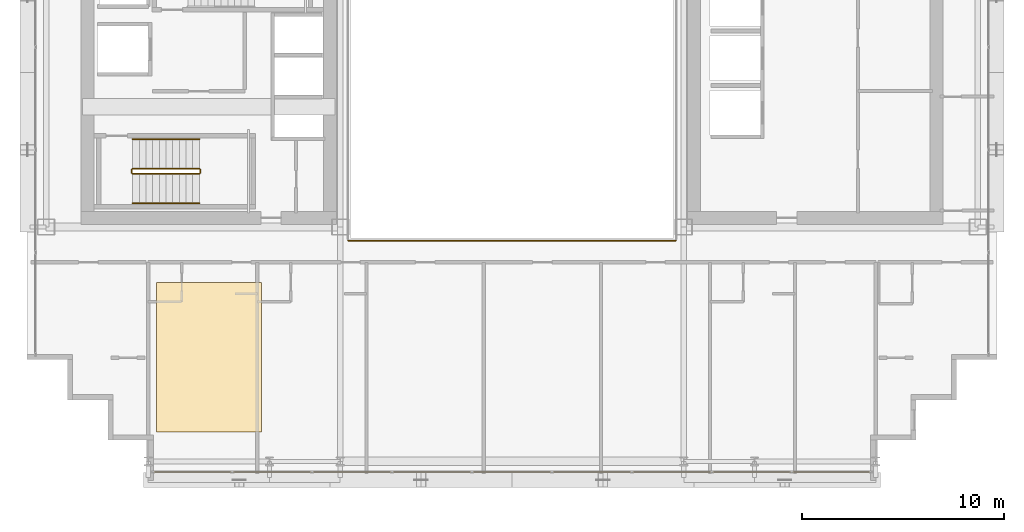
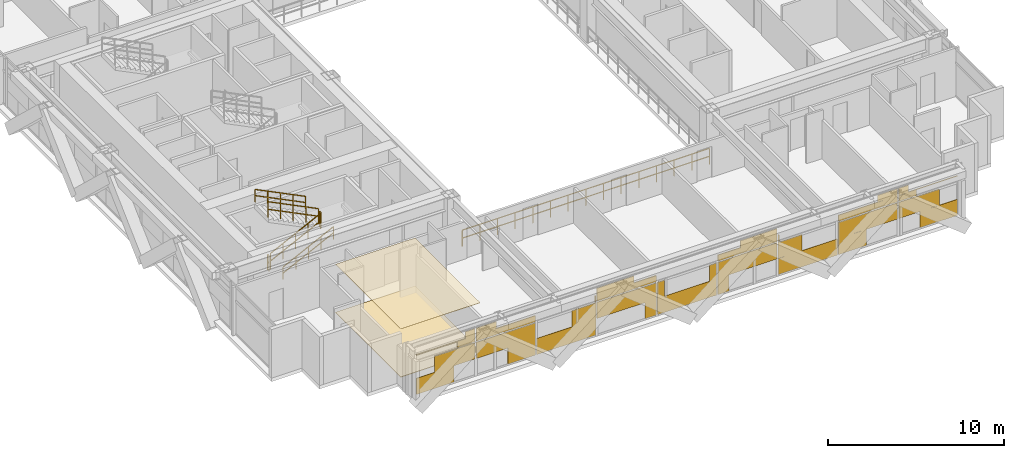
# One storey, part 32 of 35: 7 railings, 3 coverings.
"""IFC4 building model written with IfcOpenShell, lengths in metres."""

from ifc_helpers import new_model, si_unit, direction, frame, origin, origin_2d, place, context, subcontext, project, spatial, polyline, rectangle, outline, extrude, material, layer, layer_set, type_object, element, save


model = new_model("IFC4")

# Units and contexts
model_context = context("Model", 3, precision=1e-05, world=origin(), true_north=direction((0.0, 1.0)))
body_context = subcontext(model_context, "Body", "Model", "MODEL_VIEW")
ifc_project = project(units=[si_unit("LENGTHUNIT", "METRE"), si_unit("AREAUNIT", "SQUARE_METRE"), si_unit("VOLUMEUNIT", "CUBIC_METRE"), si_unit("PLANEANGLEUNIT", "RADIAN"), si_unit("MASSUNIT", "GRAM", prefix="KILO")], contexts=[model_context])

# Site, building, storey
site_placement = place(None, origin())
site = spatial("IfcSite", under=ifc_project, at=site_placement, CompositionType="ELEMENT")
building_placement = place(site_placement, origin())
building = spatial("IfcBuilding", under=site, at=building_placement, Name="Ocotamira Hotel", CompositionType="ELEMENT")
storey_placement = place(building_placement, frame((0.0, 0.0, 118.800048828125)))
storey = spatial("IfcBuildingStorey", under=building, at=storey_placement, Name="L29", CompositionType="ELEMENT", Elevation=118.800048828125)

# Coverings
ifc_material_1 = material(Name="Perforated acoustic gypsum ceiling board", Category="gypsum")
ifc_layer_1 = layer(ifc_material_1, 0.02490234375)
ifc_layer_set_1 = layer_set([ifc_layer_1], Name="Perforated acoustic gypsum ceiling board")
covering_type_1 = type_object("IfcCoveringType", Name="COV-CEIL-25", PredefinedType="CEILING", material=ifc_layer_set_1)
covering_1_placement = place(storey_placement, frame((0.0, 0.0, 3.3349609375)))
element("IfcCovering", 1, at=covering_1_placement, inside=storey, type_object=covering_type_1, Name="L29 Acoustic Ceiling", PredefinedType="CEILING", context=body_context, shape_type="SweptSolid", body=[
    extrude(outline(polyline([(14.39990234375, 4.39990234375), (19.60009765625, 4.39990234375), (19.60009765625, 11.800048828125), (14.39990234375, 11.800048828125), (14.39990234375, 4.39990234375)])), origin(), (0.0, 0.0, 1.0), 0.02490234375),
])
ifc_material_2 = material(Name="Honed desert travertine stone flooring", Category="masonry")
ifc_layer_2 = layer(ifc_material_2, 0.030029296875)
ifc_layer_set_2 = layer_set([ifc_layer_2], Name="Honed desert travertine stone flooring")
covering_type_2 = type_object("IfcCoveringType", Name="COV-FLOR-30", PredefinedType="FLOORING", material=ifc_layer_set_2)
covering_2_placement = place(storey_placement, origin())
element("IfcCovering", 2, at=covering_2_placement, inside=storey, type_object=covering_type_2, Name="L29 Honed Stone Floor Finish", PredefinedType="FLOORING", context=body_context, shape_type="SweptSolid", body=[
    extrude(outline(polyline([(14.39990234375, 4.39990234375), (19.60009765625, 4.39990234375), (19.60009765625, 11.800048828125), (14.39990234375, 11.800048828125), (14.39990234375, 4.39990234375)])), origin(), (0.0, 0.0, 1.0), 0.030029296875),
])
ifc_material_3 = material(Name="Insulated pale-metal aluminium spandrel panel", Category="aluminium")
ifc_layer_3 = layer(ifc_material_3, 0.044921875)
ifc_layer_set_3 = layer_set([ifc_layer_3], Name="Insulated pale-metal aluminium spandrel panel")
covering_type_3 = type_object("IfcCoveringType", Name="COV-INFILL-45", PredefinedType="CLADDING", material=ifc_layer_set_3)
covering_3_placement = place(storey_placement, origin())
element("IfcCovering", 3, at=covering_3_placement, inside=storey, type_object=covering_type_3, Name="L29 Curtain Wall Infill CW-3 CW-L29-S1", PredefinedType="CLADDING", context=body_context, shape_type="SweptSolid", body=[
    extrude(rectangle(XDim=2.464111328125, YDim=0.044921875, at=origin_2d()), frame((15.512451171875, 2.419921875, 0.0751953125), z_axis=(0.0, 0.0, 1.0), x_axis=(1.0, 0.0, 0.0)), (0.0, 0.0, 1.0), 1.117919921875),
    extrude(rectangle(XDim=2.650146484375, YDim=0.044921875, at=origin_2d()), frame((16.7900390625, 2.419921875, 1.194091796875), z_axis=(0.0, 0.0, 1.0), x_axis=(1.0, 0.0, 0.0)), (0.0, 0.0, 1.0), 1.11767578125),
    extrude(rectangle(XDim=3.834716796875, YDim=0.044921875, at=origin_2d()), frame((16.19775390625, 2.419921875, 2.782470703125), z_axis=(0.0, 0.0, 1.0), x_axis=(1.0, 0.0, 0.0)), (0.0, 0.0, 1.0), 0.0302734375),
    extrude(rectangle(XDim=1.157958984375, YDim=0.044921875, at=origin_2d()), frame((17.5361328125, 2.419921875, 2.387939453125), z_axis=(0.0, 0.0, 1.0), x_axis=(1.0, 0.0, 0.0)), (0.0, 0.0, 1.0), 0.3935546875),
    extrude(rectangle(XDim=0.625732421875, YDim=0.044921875, at=origin_2d()), frame((17.80224609375, 2.419921875, 2.813720703125), z_axis=(0.0, 0.0, 1.0), x_axis=(1.0, 0.0, 0.0)), (0.0, 0.0, 1.0), 0.470703125),
    extrude(rectangle(XDim=3.87451171875, YDim=0.044921875, at=origin_2d()), frame((20.13330078125, 2.419921875, 1.194091796875), z_axis=(0.0, 0.0, 1.0), x_axis=(1.0, 0.0, 0.0)), (0.0, 0.0, 1.0), 1.11767578125),
    extrude(rectangle(XDim=1.815185546875, YDim=0.044921875, at=origin_2d()), frame((21.1630859375, 2.419921875, 0.0751953125), z_axis=(0.0, 0.0, 1.0), x_axis=(1.0, 0.0, 0.0)), (0.0, 0.0, 1.0), 1.117919921875),
    extrude(rectangle(XDim=3.87451171875, YDim=0.044921875, at=origin_2d()), frame((20.13330078125, 2.419921875, 2.387939453125), z_axis=(0.0, 0.0, 1.0), x_axis=(1.0, 0.0, 0.0)), (0.0, 0.0, 1.0), 0.4248046875),
    extrude(rectangle(XDim=1.314697265625, YDim=0.044921875, at=origin_2d()), frame((18.853515625, 2.419921875, 2.813720703125), z_axis=(0.0, 0.0, 1.0), x_axis=(1.0, 0.0, 0.0)), (0.0, 0.0, 1.0), 0.470703125),
    extrude(rectangle(XDim=3.87451171875, YDim=0.044921875, at=origin_2d()), frame((24.0888671875, 2.419921875, 0.0751953125), z_axis=(0.0, 0.0, 1.0), x_axis=(1.0, 0.0, 0.0)), (0.0, 0.0, 1.0), 1.117919921875),
    extrude(rectangle(XDim=1.561279296875, YDim=0.044921875, at=origin_2d()), frame((25.24560546875, 2.419921875, 1.194091796875), z_axis=(0.0, 0.0, 1.0), x_axis=(1.0, 0.0, 0.0)), (0.0, 0.0, 1.0), 1.11767578125),
    extrude(rectangle(XDim=0.069091796875, YDim=0.044921875, at=origin_2d()), frame((25.99169921875, 2.419921875, 2.387939453125), z_axis=(0.0, 0.0, 1.0), x_axis=(1.0, 0.0, 0.0)), (0.0, 0.0, 1.0), 0.4248046875),
    extrude(rectangle(XDim=3.87451171875, YDim=0.044921875, at=origin_2d()), frame((28.04443359375, 2.419921875, 1.194091796875), z_axis=(0.0, 0.0, 1.0), x_axis=(1.0, 0.0, 0.0)), (0.0, 0.0, 1.0), 1.11767578125),
    extrude(rectangle(XDim=0.726318359375, YDim=0.044921875, at=origin_2d()), frame((29.61865234375, 2.419921875, 0.0751953125), z_axis=(0.0, 0.0, 1.0), x_axis=(1.0, 0.0, 0.0)), (0.0, 0.0, 1.0), 1.117919921875),
    extrude(rectangle(XDim=3.87451171875, YDim=0.044921875, at=origin_2d()), frame((28.04443359375, 2.419921875, 2.387939453125), z_axis=(0.0, 0.0, 1.0), x_axis=(1.0, 0.0, 0.0)), (0.0, 0.0, 1.0), 0.4248046875),
    extrude(rectangle(XDim=2.403564453125, YDim=0.044921875, at=origin_2d()), frame((27.308837890625, 2.419921875, 2.813720703125), z_axis=(0.0, 0.0, 1.0), x_axis=(1.0, 0.0, 0.0)), (0.0, 0.0, 1.0), 0.470703125),
    extrude(rectangle(XDim=3.87451171875, YDim=0.044921875, at=origin_2d()), frame((32.0, 2.419921875, 0.0751953125), z_axis=(0.0, 0.0, 1.0), x_axis=(1.0, 0.0, 0.0)), (0.0, 0.0, 1.0), 1.117919921875),
    extrude(rectangle(XDim=0.472412109375, YDim=0.044921875, at=origin_2d()), frame((30.298828125, 2.419921875, 1.194091796875), z_axis=(0.0, 0.0, 1.0), x_axis=(1.0, 0.0, 0.0)), (0.0, 0.0, 1.0), 1.11767578125),
    extrude(rectangle(XDim=0.472412109375, YDim=0.044921875, at=origin_2d()), frame((33.701171875, 2.419921875, 1.194091796875), z_axis=(0.0, 0.0, 1.0), x_axis=(1.0, 0.0, 0.0)), (0.0, 0.0, 1.0), 1.11767578125),
    extrude(rectangle(XDim=0.726318359375, YDim=0.044921875, at=origin_2d()), frame((34.38134765625, 2.419921875, 0.0751953125), z_axis=(0.0, 0.0, 1.0), x_axis=(1.0, 0.0, 0.0)), (0.0, 0.0, 1.0), 1.117919921875),
    extrude(rectangle(XDim=3.87451171875, YDim=0.044921875, at=origin_2d()), frame((35.95556640625, 2.419921875, 1.194091796875), z_axis=(0.0, 0.0, 1.0), x_axis=(1.0, 0.0, 0.0)), (0.0, 0.0, 1.0), 1.11767578125),
    extrude(rectangle(XDim=3.87451171875, YDim=0.044921875, at=origin_2d()), frame((35.95556640625, 2.419921875, 2.387939453125), z_axis=(0.0, 0.0, 1.0), x_axis=(1.0, 0.0, 0.0)), (0.0, 0.0, 1.0), 0.4248046875),
    extrude(rectangle(XDim=2.403564453125, YDim=0.044921875, at=origin_2d()), frame((36.691162109375, 2.419921875, 2.813720703125), z_axis=(0.0, 0.0, 1.0), x_axis=(1.0, 0.0, 0.0)), (0.0, 0.0, 1.0), 0.470703125),
    extrude(rectangle(XDim=3.87451171875, YDim=0.044921875, at=origin_2d()), frame((39.9111328125, 2.419921875, 0.0751953125), z_axis=(0.0, 0.0, 1.0), x_axis=(1.0, 0.0, 0.0)), (0.0, 0.0, 1.0), 1.117919921875),
    extrude(rectangle(XDim=1.561279296875, YDim=0.044921875, at=origin_2d()), frame((38.75439453125, 2.419921875, 1.194091796875), z_axis=(0.0, 0.0, 1.0), x_axis=(1.0, 0.0, 0.0)), (0.0, 0.0, 1.0), 1.11767578125),
    extrude(rectangle(XDim=0.069091796875, YDim=0.044921875, at=origin_2d()), frame((38.00830078125, 2.419921875, 2.387939453125), z_axis=(0.0, 0.0, 1.0), x_axis=(1.0, 0.0, 0.0)), (0.0, 0.0, 1.0), 0.4248046875),
    extrude(rectangle(XDim=1.815185546875, YDim=0.044921875, at=origin_2d()), frame((42.8369140625, 2.419921875, 0.0751953125), z_axis=(0.0, 0.0, 1.0), x_axis=(1.0, 0.0, 0.0)), (0.0, 0.0, 1.0), 1.117919921875),
    extrude(rectangle(XDim=3.87451171875, YDim=0.044921875, at=origin_2d()), frame((43.86669921875, 2.419921875, 1.194091796875), z_axis=(0.0, 0.0, 1.0), x_axis=(1.0, 0.0, 0.0)), (0.0, 0.0, 1.0), 1.11767578125),
    extrude(rectangle(XDim=3.87451171875, YDim=0.044921875, at=origin_2d()), frame((43.86669921875, 2.419921875, 2.387939453125), z_axis=(0.0, 0.0, 1.0), x_axis=(1.0, 0.0, 0.0)), (0.0, 0.0, 1.0), 0.4248046875),
    extrude(rectangle(XDim=1.314697265625, YDim=0.044921875, at=origin_2d()), frame((45.146484375, 2.419921875, 2.813720703125), z_axis=(0.0, 0.0, 1.0), x_axis=(1.0, 0.0, 0.0)), (0.0, 0.0, 1.0), 0.470703125),
    extrude(rectangle(XDim=2.650146484375, YDim=0.044921875, at=origin_2d()), frame((47.2099609375, 2.419921875, 1.194091796875), z_axis=(0.0, 0.0, 1.0), x_axis=(1.0, 0.0, 0.0)), (0.0, 0.0, 1.0), 1.11767578125),
    extrude(rectangle(XDim=2.464111328125, YDim=0.044921875, at=origin_2d()), frame((48.487548828125, 2.419921875, 0.0751953125), z_axis=(0.0, 0.0, 1.0), x_axis=(1.0, 0.0, 0.0)), (0.0, 0.0, 1.0), 1.117919921875),
    extrude(rectangle(XDim=1.157958984375, YDim=0.044921875, at=origin_2d()), frame((46.4638671875, 2.419921875, 2.387939453125), z_axis=(0.0, 0.0, 1.0), x_axis=(1.0, 0.0, 0.0)), (0.0, 0.0, 1.0), 0.3935546875),
    extrude(rectangle(XDim=3.834716796875, YDim=0.044921875, at=origin_2d()), frame((47.80224609375, 2.419921875, 2.782470703125), z_axis=(0.0, 0.0, 1.0), x_axis=(1.0, 0.0, 0.0)), (0.0, 0.0, 1.0), 0.0302734375),
    extrude(rectangle(XDim=0.625732421875, YDim=0.044921875, at=origin_2d()), frame((46.19775390625, 2.419921875, 2.813720703125), z_axis=(0.0, 0.0, 1.0), x_axis=(1.0, 0.0, 0.0)), (0.0, 0.0, 1.0), 0.470703125),
])

# Railings
ifc_material_4 = material(Name="Painted steel stair guardrail", Category="steel")
railing_type_1 = type_object("IfcRailingType", Name="RL-EDGE-1150", PredefinedType="GUARDRAIL", material=ifc_material_4)
railing_1_placement = place(storey_placement, frame((23.89990234375, 13.8798828125, 0.0)))
element("IfcRailing", 4, at=railing_1_placement, inside=storey, type_object=railing_type_1, Name="L29 Central Atrium Edge Guardrail S", PredefinedType="GUARDRAIL", context=body_context, shape_type="SweptSolid", body=[
    extrude(rectangle(XDim=0.048095703125, YDim=0.048095703125, at=origin_2d()), frame((0.0, 0.0, 1.1259765625), z_axis=(1.0, 0.0, 0.0), x_axis=(0.0, 1.0, 0.0)), (0.0, 0.0, 1.0), 16.2001953125),
    extrude(rectangle(XDim=0.048095703125, YDim=0.048095703125, at=origin_2d()), frame((0.0, 0.0, 0.574951171875), z_axis=(1.0, 0.0, 0.0), x_axis=(0.0, 1.0, 0.0)), (0.0, 0.0, 1.0), 16.2001953125),
    extrude(rectangle(XDim=0.0419921875, YDim=0.0419921875, at=origin_2d()), origin(), (0.0, 0.0, 1.0), 1.101806640625),
    extrude(rectangle(XDim=0.0419921875, YDim=0.0419921875, at=origin_2d()), frame((1.1572265625, 0.0, 0.0)), (0.0, 0.0, 1.0), 1.101806640625),
    extrude(rectangle(XDim=0.0419921875, YDim=0.0419921875, at=origin_2d()), frame((2.314208984375, 0.0, 0.0)), (0.0, 0.0, 1.0), 1.101806640625),
    extrude(rectangle(XDim=0.0419921875, YDim=0.0419921875, at=origin_2d()), frame((3.471435546875, 0.0, 0.0)), (0.0, 0.0, 1.0), 1.101806640625),
    extrude(rectangle(XDim=0.0419921875, YDim=0.0419921875, at=origin_2d()), frame((4.628662109375, 0.0, 0.0)), (0.0, 0.0, 1.0), 1.101806640625),
    extrude(rectangle(XDim=0.0419921875, YDim=0.0419921875, at=origin_2d()), frame((5.785888671875, 0.0, 0.0)), (0.0, 0.0, 1.0), 1.101806640625),
    extrude(rectangle(XDim=0.0419921875, YDim=0.0419921875, at=origin_2d()), frame((6.94287109375, 0.0, 0.0)), (0.0, 0.0, 1.0), 1.101806640625),
    extrude(rectangle(XDim=0.0419921875, YDim=0.0419921875, at=origin_2d()), frame((8.10009765625, 0.0, 0.0)), (0.0, 0.0, 1.0), 1.101806640625),
    extrude(rectangle(XDim=0.0419921875, YDim=0.0419921875, at=origin_2d()), frame((9.25732421875, 0.0, 0.0)), (0.0, 0.0, 1.0), 1.101806640625),
    extrude(rectangle(XDim=0.0419921875, YDim=0.0419921875, at=origin_2d()), frame((10.414306640625, 0.0, 0.0)), (0.0, 0.0, 1.0), 1.101806640625),
    extrude(rectangle(XDim=0.0419921875, YDim=0.0419921875, at=origin_2d()), frame((11.571533203125, 0.0, 0.0)), (0.0, 0.0, 1.0), 1.101806640625),
    extrude(rectangle(XDim=0.0419921875, YDim=0.0419921875, at=origin_2d()), frame((12.728759765625, 0.0, 0.0)), (0.0, 0.0, 1.0), 1.101806640625),
    extrude(rectangle(XDim=0.0419921875, YDim=0.0419921875, at=origin_2d()), frame((13.885986328125, 0.0, 0.0)), (0.0, 0.0, 1.0), 1.101806640625),
    extrude(rectangle(XDim=0.0419921875, YDim=0.0419921875, at=origin_2d()), frame((15.04296875, 0.0, 0.0)), (0.0, 0.0, 1.0), 1.101806640625),
    extrude(rectangle(XDim=0.0419921875, YDim=0.0419921875, at=origin_2d()), frame((16.2001953125, 0.0, 0.0)), (0.0, 0.0, 1.0), 1.101806640625),
])
ifc_material_5 = material(Name="Brushed stainless steel handrail", Category="steel")
railing_type_2 = type_object("IfcRailingType", Name="RL-HAND-900", PredefinedType="HANDRAIL", material=ifc_material_5)
railing_2_placement = place(storey_placement, frame((13.22998046875, 15.719970703125, 0.3271484375)))
element("IfcRailing", 5, at=railing_2_placement, inside=storey, type_object=railing_type_2, Name="L29 ST-1 stair handrail 1", PredefinedType="HANDRAIL", context=body_context, shape_type="SweptSolid", body=[
    extrude(rectangle(XDim=0.048095703125, YDim=0.048095703125, at=origin_2d()), frame((0.0, 0.0, 0.8759765625), z_axis=(0.895893744519, 0.0, 0.4442683857), x_axis=(0.0, 1.0, 0.0)), (0.0, 0.0, 1.0), 3.68359375),
    extrude(rectangle(XDim=0.048095703125, YDim=0.048095703125, at=origin_2d()), frame((0.0, 0.0, 0.449951171875), z_axis=(0.895893744519, 0.0, 0.4442683857), x_axis=(0.0, 1.0, 0.0)), (0.0, 0.0, 1.0), 3.68359375),
    extrude(rectangle(XDim=0.0419921875, YDim=0.0419921875, at=origin_2d()), origin(), (0.0, 0.0, 1.0), 0.851806640625),
    extrude(rectangle(XDim=0.0419921875, YDim=0.0419921875, at=origin_2d()), frame((0.824951171875, 0.0, 0.4091796875)), (0.0, 0.0, 1.0), 0.851806640625),
    extrude(rectangle(XDim=0.0419921875, YDim=0.0419921875, at=origin_2d()), frame((1.64990234375, 0.0, 0.818359375)), (0.0, 0.0, 1.0), 0.851806640625),
    extrude(rectangle(XDim=0.0419921875, YDim=0.0419921875, at=origin_2d()), frame((2.47509765625, 0.0, 1.227294921875)), (0.0, 0.0, 1.0), 0.851806640625),
    extrude(rectangle(XDim=0.0419921875, YDim=0.0419921875, at=origin_2d()), frame((3.300048828125, 0.0, 1.636474609375)), (0.0, 0.0, 1.0), 0.851806640625),
])
railing_3_placement = place(storey_placement, frame((16.530029296875, 18.89990234375, 2.127197265625)))
element("IfcRailing", 6, at=railing_3_placement, inside=storey, type_object=railing_type_2, Name="L29 ST-1 stair handrail 2", PredefinedType="HANDRAIL", context=body_context, shape_type="SweptSolid", body=[
    extrude(rectangle(XDim=0.048095703125, YDim=0.048095703125, at=origin_2d()), frame((0.0, 0.0, 0.8759765625), z_axis=(-0.895893744519, 0.0, 0.4442683857), x_axis=(0.0, -1.0, 0.0)), (0.0, 0.0, 1.0), 3.68359375),
    extrude(rectangle(XDim=0.048095703125, YDim=0.048095703125, at=origin_2d()), frame((0.0, 0.0, 0.449951171875), z_axis=(-0.895893744519, 0.0, 0.4442683857), x_axis=(0.0, -1.0, 0.0)), (0.0, 0.0, 1.0), 3.68359375),
    extrude(rectangle(XDim=0.0419921875, YDim=0.0419921875, at=origin_2d()), origin(), (0.0, 0.0, 1.0), 0.851806640625),
    extrude(rectangle(XDim=0.0419921875, YDim=0.0419921875, at=origin_2d()), frame((-0.824951171875, 0.0, 0.4091796875)), (0.0, 0.0, 1.0), 0.851806640625),
    extrude(rectangle(XDim=0.0419921875, YDim=0.0419921875, at=origin_2d()), frame((-1.64990234375, 0.0, 0.818359375)), (0.0, 0.0, 1.0), 0.851806640625),
    extrude(rectangle(XDim=0.0419921875, YDim=0.0419921875, at=origin_2d()), frame((-2.47509765625, 0.0, 1.227294921875)), (0.0, 0.0, 1.0), 0.851806640625),
    extrude(rectangle(XDim=0.0419921875, YDim=0.0419921875, at=origin_2d()), frame((-3.300048828125, 0.0, 1.636474609375)), (0.0, 0.0, 1.0), 0.851806640625),
])
railing_type_3 = type_object("IfcRailingType", Name="RL-STAIR-1100", PredefinedType="GUARDRAIL", material=ifc_material_4)
railing_4_placement = place(storey_placement, frame((13.22998046875, 17.179931640625, 0.16357421875)))
element("IfcRailing", 7, at=railing_4_placement, inside=storey, type_object=railing_type_3, Name="L29 ST-1 stair guard 1", PredefinedType="GUARDRAIL", context=body_context, shape_type="SweptSolid", body=[
    extrude(rectangle(XDim=0.048095703125, YDim=0.048095703125, at=origin_2d()), frame((0.0, 0.0, 1.076171875), z_axis=(0.895893744519, 0.0, 0.4442683857), x_axis=(0.0, 1.0, 0.0)), (0.0, 0.0, 1.0), 3.68359375),
    extrude(rectangle(XDim=0.048095703125, YDim=0.048095703125, at=origin_2d()), frame((0.0, 0.0, 0.550048828125), z_axis=(0.895893744519, 0.0, 0.4442683857), x_axis=(0.0, 1.0, 0.0)), (0.0, 0.0, 1.0), 3.68359375),
    extrude(rectangle(XDim=0.0419921875, YDim=0.0419921875, at=origin_2d()), origin(), (0.0, 0.0, 1.0), 1.052001953125),
    extrude(rectangle(XDim=0.0419921875, YDim=0.0419921875, at=origin_2d()), frame((0.824951171875, 0.0, 0.4091796875)), (0.0, 0.0, 1.0), 1.052001953125),
    extrude(rectangle(XDim=0.0419921875, YDim=0.0419921875, at=origin_2d()), frame((1.64990234375, 0.0, 0.818359375)), (0.0, 0.0, 1.0), 1.052001953125),
    extrude(rectangle(XDim=0.0419921875, YDim=0.0419921875, at=origin_2d()), frame((2.47509765625, 0.0, 1.227294921875)), (0.0, 0.0, 1.0), 1.052001953125),
    extrude(rectangle(XDim=0.0419921875, YDim=0.0419921875, at=origin_2d()), frame((3.300048828125, 0.0, 1.636474609375)), (0.0, 0.0, 1.0), 1.052001953125),
])
railing_5_placement = place(storey_placement, frame((16.580078125, 17.22998046875, 1.800048828125)))
element("IfcRailing", 8, at=railing_5_placement, inside=storey, type_object=railing_type_3, Name="L29 ST-1 stair guard 2", PredefinedType="GUARDRAIL", context=body_context, shape_type="SweptSolid", body=[
    extrude(rectangle(XDim=0.048095703125, YDim=0.048095703125, at=origin_2d()), frame((0.0, 0.0, 1.076171875), z_axis=(0.0, 1.0, 0.0), x_axis=(-1.0, 0.0, 0.0)), (0.0, 0.0, 1.0), 0.159912109375),
    extrude(rectangle(XDim=0.048095703125, YDim=0.048095703125, at=origin_2d()), frame((0.0, 0.0, 0.550048828125), z_axis=(0.0, 1.0, 0.0), x_axis=(-1.0, 0.0, 0.0)), (0.0, 0.0, 1.0), 0.159912109375),
    extrude(rectangle(XDim=0.0419921875, YDim=0.0419921875, at=origin_2d()), origin(), (0.0, 0.0, 1.0), 1.052001953125),
    extrude(rectangle(XDim=0.0419921875, YDim=0.0419921875, at=origin_2d()), frame((0.0, 0.159912109375, 0.0)), (0.0, 0.0, 1.0), 1.052001953125),
])
railing_6_placement = place(storey_placement, frame((16.530029296875, 17.43994140625, 1.963623046875)))
element("IfcRailing", 9, at=railing_6_placement, inside=storey, type_object=railing_type_3, Name="L29 ST-1 stair guard 3", PredefinedType="GUARDRAIL", context=body_context, shape_type="SweptSolid", body=[
    extrude(rectangle(XDim=0.048095703125, YDim=0.048095703125, at=origin_2d()), frame((0.0, 0.0, 1.076171875), z_axis=(-0.895920123917, 0.0, 0.444215186098), x_axis=(0.0, -1.0, 0.0)), (0.0, 0.0, 1.0), 3.683349609375),
    extrude(rectangle(XDim=0.048095703125, YDim=0.048095703125, at=origin_2d()), frame((0.0, 0.0, 0.550048828125), z_axis=(-0.895920123917, 0.0, 0.444215186098), x_axis=(0.0, -1.0, 0.0)), (0.0, 0.0, 1.0), 3.683349609375),
    extrude(rectangle(XDim=0.0419921875, YDim=0.0419921875, at=origin_2d()), origin(), (0.0, 0.0, 1.0), 1.052001953125),
    extrude(rectangle(XDim=0.0419921875, YDim=0.0419921875, at=origin_2d()), frame((-0.824951171875, 0.0, 0.4091796875)), (0.0, 0.0, 1.0), 1.052001953125),
    extrude(rectangle(XDim=0.0419921875, YDim=0.0419921875, at=origin_2d()), frame((-1.64990234375, 0.0, 0.818115234375)), (0.0, 0.0, 1.0), 1.052001953125),
    extrude(rectangle(XDim=0.0419921875, YDim=0.0419921875, at=origin_2d()), frame((-2.47509765625, 0.0, 1.22705078125)), (0.0, 0.0, 1.0), 1.052001953125),
    extrude(rectangle(XDim=0.0419921875, YDim=0.0419921875, at=origin_2d()), frame((-3.300048828125, 0.0, 1.63623046875)), (0.0, 0.0, 1.0), 1.052001953125),
])
railing_7_placement = place(storey_placement, frame((13.179931640625, 17.22998046875, 0.0)))
element("IfcRailing", 10, at=railing_7_placement, inside=storey, type_object=railing_type_3, Name="L29 ST-1 stair guard 4", PredefinedType="GUARDRAIL", context=body_context, shape_type="SweptSolid", body=[
    extrude(rectangle(XDim=0.048095703125, YDim=0.048095703125, at=origin_2d()), frame((0.0, 0.0, 1.076171875), z_axis=(0.0, 1.0, 0.0), x_axis=(-1.0, 0.0, 0.0)), (0.0, 0.0, 1.0), 0.159912109375),
    extrude(rectangle(XDim=0.048095703125, YDim=0.048095703125, at=origin_2d()), frame((0.0, 0.0, 0.550048828125), z_axis=(0.0, 1.0, 0.0), x_axis=(-1.0, 0.0, 0.0)), (0.0, 0.0, 1.0), 0.159912109375),
    extrude(rectangle(XDim=0.0419921875, YDim=0.0419921875, at=origin_2d()), origin(), (0.0, 0.0, 1.0), 1.052001953125),
    extrude(rectangle(XDim=0.0419921875, YDim=0.0419921875, at=origin_2d()), frame((0.0, 0.159912109375, 0.0)), (0.0, 0.0, 1.0), 1.052001953125),
])

save(model, "model.ifc")
